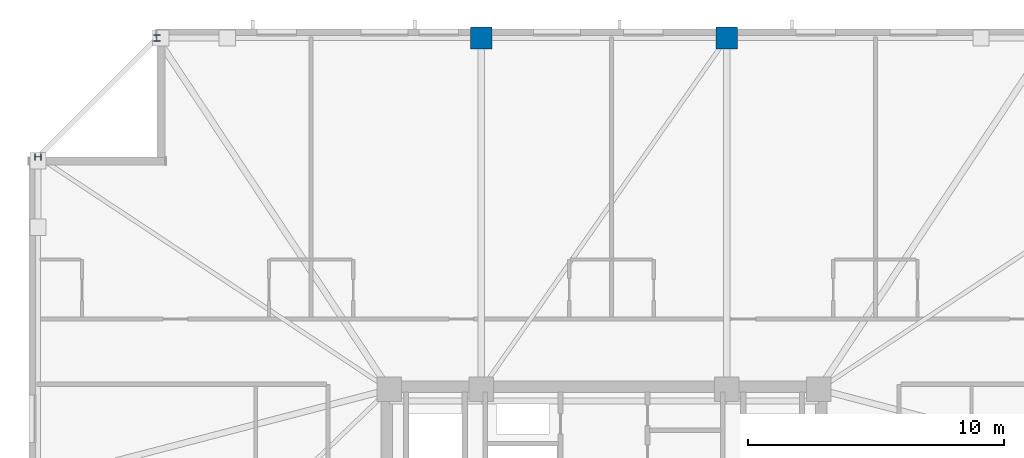
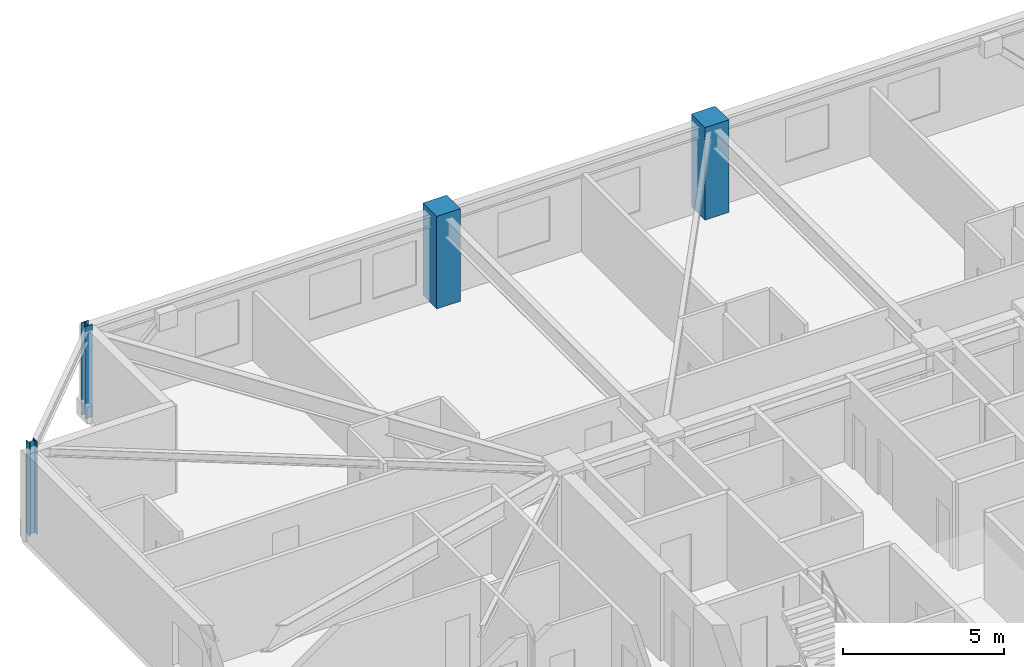
# One storey, part 4 of 16: 4 columns.
"""IFC4 building model written with IfcOpenShell, lengths in metres."""

from ifc_helpers import new_model, si_unit, direction, frame, origin, origin_2d, place, context, subcontext, project, spatial, rectangle, i_section, extrude, material, material_profile, profile_set, type_object, element, save


model = new_model("IFC4")

# Units and contexts
model_context = context("Model", 3, precision=1e-05, world=origin(), true_north=direction((0.0, 1.0)))
body_context = subcontext(model_context, "Body", "Model", "MODEL_VIEW")
ifc_project = project(units=[si_unit("LENGTHUNIT", "METRE"), si_unit("AREAUNIT", "SQUARE_METRE"), si_unit("VOLUMEUNIT", "CUBIC_METRE"), si_unit("PLANEANGLEUNIT", "RADIAN"), si_unit("MASSUNIT", "GRAM", prefix="KILO")], contexts=[model_context])

# Site, building, storey
site_placement = place(None, origin())
site = spatial("IfcSite", under=ifc_project, at=site_placement, CompositionType="ELEMENT")
building_placement = place(site_placement, origin())
building = spatial("IfcBuilding", under=site, at=building_placement, Name="Cairnveth Concourse Tower", CompositionType="ELEMENT")
storey_placement = place(building_placement, frame((0.0, 0.0, 255.0)))
storey = spatial("IfcBuildingStorey", under=building, at=storey_placement, Name="L70", CompositionType="ELEMENT", Elevation=255.0)

# Columns
ifc_material_1 = material(Name="Concrete N65 (65 MPa)", Category="concrete")
ifc_material_profile_1 = material_profile(ifc_material_1, rectangle(XDim=0.85009765625, YDim=0.85009765625, at=origin_2d()), Name="RC-COL-850x850")
ifc_profile_set_1 = profile_set([ifc_material_profile_1], Name="Concrete N65 (65 MPa)")
column_type_1 = type_object("IfcColumnType", Name="PERIMETER PIER COLUMN 850X850", PredefinedType="COLUMN", material=ifc_profile_set_1)
for number, where, z_axis, x_axis, name in (
    (1, (56.800048828125, 61.14990234375, 0.0), (0.0, 0.0, 1.0), (1.0, 0.0, 0.0), "Column P-N2 L70"),
    (2, (47.199951171875, 61.14990234375, 0.0), (0.0, 0.0, 1.0), (1.0, 0.0, 0.0), "Column P-N3 L70"),
):
    element("IfcColumn", number, at=place(storey_placement, frame(where, z_axis=z_axis, x_axis=x_axis)), inside=storey, type_object=column_type_1, Name=name, PredefinedType="COLUMN", context=body_context, shape_type="SweptSolid", body=[
        extrude(rectangle(XDim=0.85009765625, YDim=0.85009765625, at=origin_2d()), origin(), (0.0, 0.0, 1.0), 3.5),
    ])
ifc_material_2 = material(Name="Steel Grade 350", Category="steel")
ifc_material_profile_2 = material_profile(ifc_material_2, i_section(OverallWidth=0.256103515625, OverallDepth=0.260009765625, WebThickness=0.010498046875, FlangeThickness=0.017333984375, FilletRadius=0.012939453125, at=origin_2d()), Name="250UC89.5")
ifc_profile_set_2 = profile_set([ifc_material_profile_2], Name="Steel Grade 350")
column_type_2 = type_object("IfcColumnType", Name="UNIVERSAL STEEL COLUMN 250UC89.5", PredefinedType="COLUMN", material=ifc_profile_set_2)
for number, where, z_axis, x_axis, name in (
    (3, (34.5, 61.14990234375, 0.0), (0.0, 0.0, 1.0), (1.0, 0.0, 0.0), "Column P-N4 L70"),
    (4, (29.85009765625, 56.5, 0.0), (0.0, 0.0, 1.0), (0.0, 1.0, 0.0), "Column P-W1 L70"),
):
    element("IfcColumn", number, at=place(storey_placement, frame(where, z_axis=z_axis, x_axis=x_axis)), inside=storey, type_object=column_type_2, Name=name, PredefinedType="COLUMN", context=body_context, shape_type="SweptSolid", body=[
        extrude(i_section(OverallWidth=0.256103515625, OverallDepth=0.260009765625, WebThickness=0.010498046875, FlangeThickness=0.017333984375, FilletRadius=0.012939453125, at=origin_2d()), origin(), (0.0, 0.0, 1.0), 3.5),
    ])

save(model, "model.ifc")
